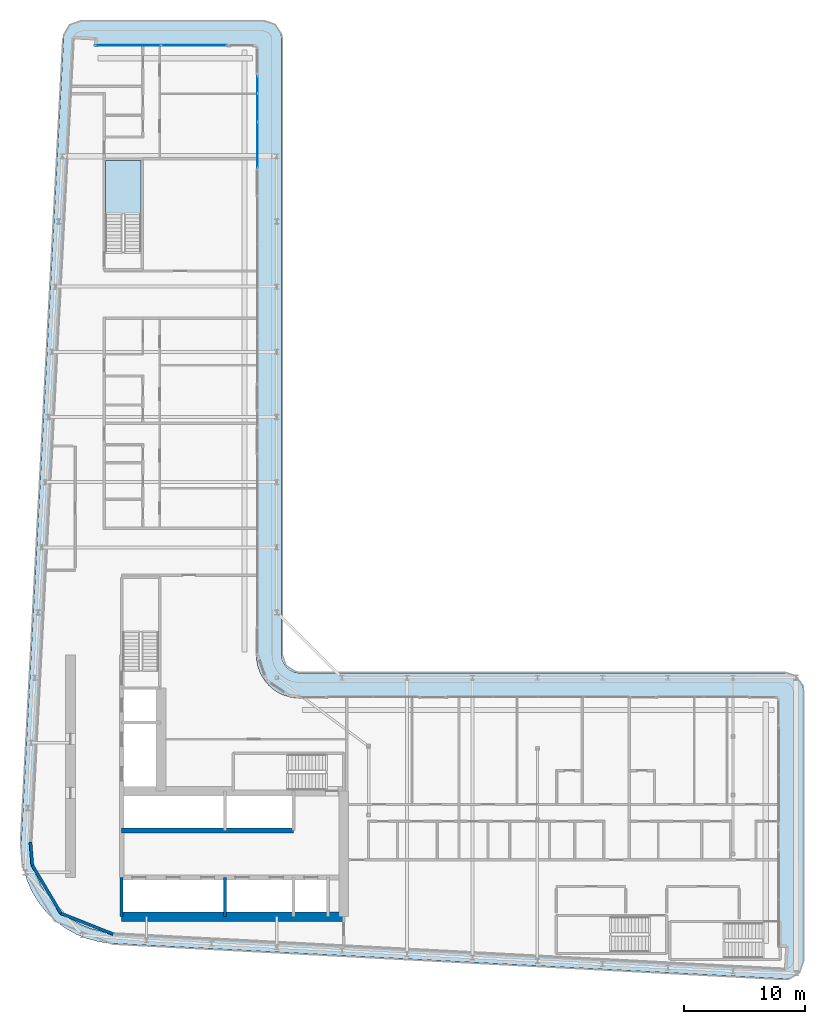
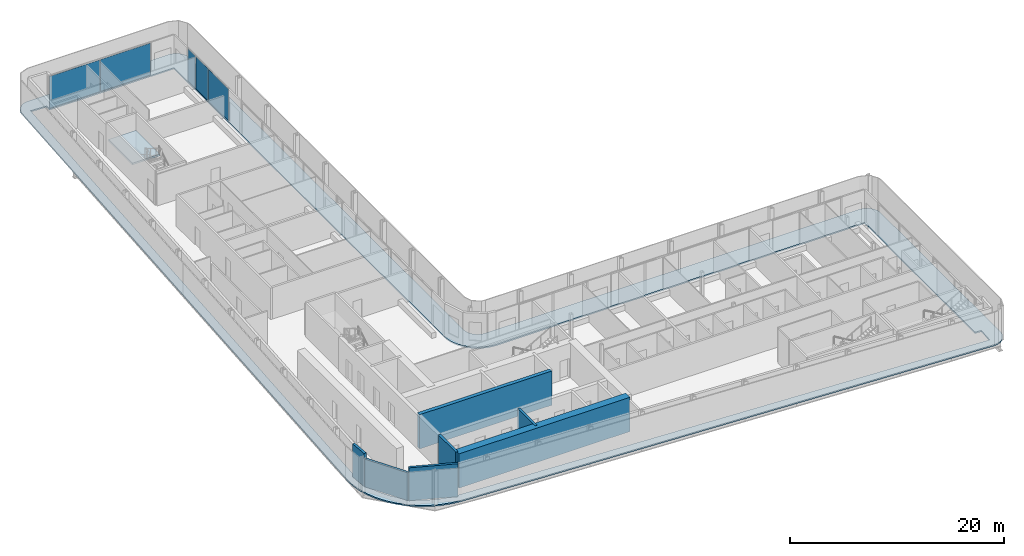
# One storey, part 12 of 26: 7 walls, 5 plates, 2 slabs, 3 elements without a shape of their own.
"""IFC4 building model written with IfcOpenShell, lengths in metres."""

from ifc_helpers import new_model, si_unit, direction, frame, frame_2d, origin, origin_2d, place, context, subcontext, project, spatial, polyline, rectangle, outline, extrude, material, layer, layer_set, type_object, element, aggregate, save


model = new_model("IFC4")

# Units and contexts
model_context = context("Model", 3, precision=1e-05, world=origin(), true_north=direction((0.0, 1.0)))
body_context = subcontext(model_context, "Body", "Model", "MODEL_VIEW")
ifc_project = project(units=[si_unit("LENGTHUNIT", "METRE"), si_unit("AREAUNIT", "SQUARE_METRE"), si_unit("VOLUMEUNIT", "CUBIC_METRE"), si_unit("PLANEANGLEUNIT", "RADIAN"), si_unit("MASSUNIT", "GRAM", prefix="KILO")], contexts=[model_context])

# Site, building, storey
site_placement = place(None, origin())
site = spatial("IfcSite", under=ifc_project, at=site_placement, CompositionType="ELEMENT")
building_placement = place(site_placement, origin())
building = spatial("IfcBuilding", under=site, at=building_placement, Name="Kheshtan School and Residences Tower", CompositionType="ELEMENT")
storey_placement = place(building_placement, frame((0.0, 0.0, 156.5)))
storey = spatial("IfcBuildingStorey", under=building, at=storey_placement, Name="L36", CompositionType="ELEMENT", Elevation=156.5)

# Curtain wall, plates
ifc_material_1 = material(Name="Clear low-e glass in thermally broken aluminium frame", Category="aluminium")
ifc_layer_1 = layer(ifc_material_1, 0.199951171875)
ifc_layer_set_1 = layer_set([ifc_layer_1], Name="Curtain wall CW-L")
curtain_wall_type = type_object("IfcCurtainWallType", Name="Curtain wall CW-L", PredefinedType="NOTDEFINED", material=ifc_layer_set_1)
curtain_wall_1_placement = place(storey_placement, origin())
curtain_wall_1 = element("IfcCurtainWall", 1, at=curtain_wall_1_placement, inside=storey, type_object=curtain_wall_type, Name="Curtain wall CWL7", PredefinedType="NOTDEFINED")
ifc_layer_2 = layer(ifc_material_1, 0.031982421875)
ifc_layer_set_2 = layer_set([ifc_layer_2], Name="CW-L glass panel")
plate_type = type_object("IfcPlateType", Name="CW-L glass panel", PredefinedType="CURTAIN_PANEL", material=ifc_layer_set_2)
plate_1_placement = place(storey_placement, frame((35.259033203125, 98.0, 0.0), z_axis=(0.0, 0.0, 1.0), x_axis=(1.0, 0.0, 0.0)))
plate_1 = element("IfcPlate", 2, at=plate_1_placement, type_object=plate_type, Name="CWL7 panel 1.1", PredefinedType="CURTAIN_PANEL", context=body_context, shape_type="SweptSolid", body=[
    extrude(rectangle(XDim=5.4140625, YDim=0.031982421875, at=origin_2d()), origin(), (0.0, 0.0, 1.0), 3.6298828125),
])
plate_2_placement = place(storey_placement, frame((40.73291015625, 98.0, 0.0), z_axis=(0.0, 0.0, 1.0), x_axis=(1.0, 0.0, 0.0)))
plate_2 = element("IfcPlate", 3, at=plate_2_placement, type_object=plate_type, Name="CWL7 panel 2.1", PredefinedType="CURTAIN_PANEL", context=body_context, shape_type="SweptSolid", body=[
    extrude(rectangle(XDim=5.4140625, YDim=0.031982421875, at=origin_2d()), origin(), (0.0, 0.0, 1.0), 3.6298828125),
])
aggregate(curtain_wall_1, [plate_1, plate_2])

curtain_wall_2_placement = place(storey_placement, origin())
curtain_wall_2 = element("IfcCurtainWall", 4, at=curtain_wall_2_placement, inside=storey, type_object=curtain_wall_type, Name="Curtain wall CWL8c", PredefinedType="NOTDEFINED")
plate_3_placement = place(storey_placement, frame((46.0, 94.735107421875, 0.0), z_axis=(0.0, 0.0, 1.0), x_axis=(0.0, -1.0, 0.0)))
plate_3 = element("IfcPlate", 5, at=plate_3_placement, type_object=plate_type, Name="CWL8c panel 1.1", PredefinedType="CURTAIN_PANEL", context=body_context, shape_type="SweptSolid", body=[
    extrude(rectangle(XDim=1.409912109375, YDim=0.031982421875, at=origin_2d()), origin(), (0.0, 0.0, 1.0), 3.6298828125),
])
plate_4_placement = place(storey_placement, frame((46.0, 92.826416015625, 0.0), z_axis=(0.0, 0.0, 1.0), x_axis=(0.0, -1.0, 0.0)))
plate_4 = element("IfcPlate", 6, at=plate_4_placement, type_object=plate_type, Name="CWL8c panel 2.1", PredefinedType="CURTAIN_PANEL", context=body_context, shape_type="SweptSolid", body=[
    extrude(rectangle(XDim=2.287109375, YDim=0.031982421875, at=origin_2d()), origin(), (0.0, 0.0, 1.0), 3.6298828125),
])
plate_5_placement = place(storey_placement, frame((46.0, 89.744384765625, 0.0), z_axis=(0.0, 0.0, 1.0), x_axis=(0.0, -1.0, 0.0)))
plate_5 = element("IfcPlate", 7, at=plate_5_placement, type_object=plate_type, Name="CWL8c panel 3.1", PredefinedType="CURTAIN_PANEL", context=body_context, shape_type="SweptSolid", body=[
    extrude(rectangle(XDim=3.757080078125, YDim=0.031982421875, at=origin_2d()), origin(), (0.0, 0.0, 1.0), 3.6298828125),
])
aggregate(curtain_wall_2, [plate_3, plate_4, plate_5])

# Slab
ifc_material_2 = material(Name="Concrete C40/50", Category="concrete")
ifc_layer_3 = layer(ifc_material_2, 0.14990234375)
ifc_layer_set_3 = layer_set([ifc_layer_3], Name="Loggia balcony slab 150 Concrete C40/50")
slab_type_1 = type_object("IfcSlabType", Name="Loggia balcony slab 150 Concrete C40/50", PredefinedType="FLOOR", material=ifc_layer_set_3)
slab_1_placement = place(storey_placement, frame((0.0, 0.0, -0.14990234375)))
element("IfcSlab", 8, at=slab_1_placement, inside=storey, type_object=slab_type_1, Name="Loggia balcony slab L36", PredefinedType="FLOOR", context=body_context, shape_type="SweptSolid", body=[
    extrude(outline(polyline([(28.4580078125, 26.222900390625), (28.45703125, 26.222900390625), (28.45703125, 26.22412109375), (28.4560546875, 26.22412109375), (27.81494140625, 27.0390625), (27.281005859375, 27.93798828125), (26.867919921875, 28.89990234375), (26.583984375, 29.89990234375), (26.583984375, 29.906982421875), (26.43408203125, 30.943115234375), (26.419921875, 31.989013671875), (29.925048828125, 98.5791015625), (29.930908203125, 98.626953125), (29.930908203125, 98.6279296875), (29.929931640625, 98.6279296875), (29.929931640625, 98.62890625), (29.928955078125, 98.62890625), (29.928955078125, 98.6298828125), (29.927978515625, 98.6298828125), (29.927978515625, 98.631103515625), (29.927001953125, 98.631103515625), (29.927001953125, 98.632080078125), (29.927001953125, 98.633056640625), (29.945068359375, 98.781005859375), (29.945068359375, 98.783935546875), (29.945068359375, 98.784912109375), (29.946044921875, 98.784912109375), (29.946044921875, 98.785888671875), (29.947021484375, 98.785888671875), (29.947021484375, 98.787109375), (29.947998046875, 98.787109375), (29.948974609375, 98.787109375), (29.948974609375, 98.7880859375), (29.949951171875, 98.7880859375), (29.949951171875, 98.7890625), (29.949951171875, 98.791015625), (30.0029296875, 98.98388671875), (30.083984375, 99.175048828125), (30.18896484375, 99.35302734375), (30.31103515625, 99.507080078125), (30.31201171875, 99.507080078125), (30.31201171875, 99.508056640625), (30.31298828125, 99.508056640625), (30.31298828125, 99.509033203125), (30.31396484375, 99.509033203125), (30.31396484375, 99.510009765625), (30.31494140625, 99.510009765625), (30.31494140625, 99.510986328125), (30.31591796875, 99.510986328125), (30.31591796875, 99.511962890625), (30.31689453125, 99.511962890625), (30.31689453125, 99.512939453125), (30.318115234375, 99.512939453125), (30.321044921875, 99.512939453125), (30.322021484375, 99.512939453125), (30.322021484375, 99.513916015625), (30.468017578125, 99.656982421875), (30.468994140625, 99.656982421875), (30.468994140625, 99.657958984375), (30.469970703125, 99.657958984375), (30.469970703125, 99.658935546875), (30.470947265625, 99.658935546875), (30.470947265625, 99.659912109375), (30.471923828125, 99.659912109375), (30.471923828125, 99.660888671875), (30.472900390625, 99.660888671875), (30.472900390625, 99.662109375), (30.47412109375, 99.662109375), (30.47412109375, 99.6630859375), (30.47509765625, 99.6630859375), (30.47509765625, 99.6640625), (30.635986328125, 99.777099609375), (30.820068359375, 99.873046875), (31.007080078125, 99.943115234375), (31.013916015625, 99.943115234375), (31.217041015625, 99.986083984375), (31.423095703125, 100.0), (46.5, 100.0), (46.696044921875, 99.987060546875), (46.887939453125, 99.948974609375), (46.89501953125, 99.948974609375), (47.073974609375, 99.885986328125), (47.242919921875, 99.801025390625), (47.243896484375, 99.801025390625), (47.2470703125, 99.801025390625), (47.248046875, 99.801025390625), (47.248046875, 99.802001953125), (47.2490234375, 99.802001953125), (47.2490234375, 99.802978515625), (47.25, 99.802978515625), (47.2529296875, 99.802978515625), (47.25390625, 99.802978515625), (47.25390625, 99.802001953125), (47.2548828125, 99.802001953125), (47.2548828125, 99.801025390625), (47.256103515625, 99.801025390625), (47.256103515625, 99.800048828125), (47.257080078125, 99.800048828125), (47.257080078125, 99.799072265625), (47.258056640625, 99.799072265625), (47.258056640625, 99.798095703125), (47.412109375, 99.696044921875), (47.4130859375, 99.696044921875), (47.4130859375, 99.695068359375), (47.4140625, 99.695068359375), (47.4140625, 99.694091796875), (47.4140625, 99.68994140625), (47.4140625, 99.68896484375), (47.4150390625, 99.68896484375), (47.4150390625, 99.68798828125), (47.416015625, 99.68798828125), (47.416015625, 99.68701171875), (47.4169921875, 99.68701171875), (47.4169921875, 99.68603515625), (47.554931640625, 99.568115234375), (47.554931640625, 99.56689453125), (47.555908203125, 99.56689453125), (47.555908203125, 99.56591796875), (47.556884765625, 99.56591796875), (47.556884765625, 99.56494140625), (47.55810546875, 99.56494140625), (47.55810546875, 99.56396484375), (47.55908203125, 99.56396484375), (47.55908203125, 99.56298828125), (47.56005859375, 99.56298828125), (47.56005859375, 99.56201171875), (47.56103515625, 99.56201171875), (47.56201171875, 99.56103515625), (47.56201171875, 99.56005859375), (47.56298828125, 99.56005859375), (47.56298828125, 99.55908203125), (47.56396484375, 99.55908203125), (47.56396484375, 99.55810546875), (47.56494140625, 99.55810546875), (47.56494140625, 99.556884765625), (47.56591796875, 99.556884765625), (47.56591796875, 99.555908203125), (47.56689453125, 99.555908203125), (47.56689453125, 99.554931640625), (47.568115234375, 99.554931640625), (47.68505859375, 99.41796875), (47.68603515625, 99.41796875), (47.68603515625, 99.4169921875), (47.68701171875, 99.4169921875), (47.68701171875, 99.416015625), (47.68798828125, 99.416015625), (47.68798828125, 99.4150390625), (47.68896484375, 99.4150390625), (47.68896484375, 99.4140625), (47.68994140625, 99.4140625), (47.694091796875, 99.4140625), (47.695068359375, 99.4140625), (47.695068359375, 99.4130859375), (47.696044921875, 99.4130859375), (47.696044921875, 99.412109375), (47.797119140625, 99.259033203125), (47.798095703125, 99.259033203125), (47.798095703125, 99.258056640625), (47.799072265625, 99.258056640625), (47.799072265625, 99.257080078125), (47.800048828125, 99.257080078125), (47.800048828125, 99.256103515625), (47.801025390625, 99.256103515625), (47.801025390625, 99.2548828125), (47.802001953125, 99.2548828125), (47.802001953125, 99.25390625), (47.802978515625, 99.25390625), (47.802978515625, 99.2529296875), (47.802978515625, 99.25), (47.802978515625, 99.2490234375), (47.802001953125, 99.2490234375), (47.802001953125, 99.248046875), (47.801025390625, 99.248046875), (47.801025390625, 99.2470703125), (47.801025390625, 99.242919921875), (47.801025390625, 99.241943359375), (47.885986328125, 99.073974609375), (47.948974609375, 98.89501953125), (47.948974609375, 98.887939453125), (47.987060546875, 98.696044921875), (48.0, 98.5), (48.0, 47.5), (48.012939453125, 47.303955078125), (48.051025390625, 47.113037109375), (48.051025390625, 47.10693359375), (48.051025390625, 47.10595703125), (48.114013671875, 46.926025390625), (48.200927734375, 46.75), (48.31005859375, 46.5869140625), (48.431884765625, 46.444091796875), (48.43310546875, 46.444091796875), (48.43310546875, 46.443115234375), (48.43408203125, 46.443115234375), (48.43408203125, 46.44189453125), (48.43505859375, 46.44189453125), (48.43505859375, 46.44091796875), (48.43603515625, 46.44091796875), (48.43603515625, 46.43994140625), (48.43701171875, 46.43994140625), (48.43701171875, 46.43896484375), (48.43798828125, 46.43896484375), (48.43896484375, 46.43798828125), (48.43896484375, 46.43701171875), (48.43994140625, 46.43701171875), (48.43994140625, 46.43603515625), (48.44091796875, 46.43603515625), (48.44091796875, 46.43505859375), (48.44189453125, 46.43505859375), (48.44189453125, 46.43408203125), (48.443115234375, 46.43408203125), (48.443115234375, 46.43310546875), (48.444091796875, 46.43310546875), (48.444091796875, 46.431884765625), (48.5869140625, 46.31005859375), (48.75, 46.200927734375), (48.926025390625, 46.114013671875), (49.10595703125, 46.051025390625), (49.10693359375, 46.051025390625), (49.113037109375, 46.051025390625), (49.303955078125, 46.012939453125), (49.5, 46.0), (89.699951171875, 46.0), (89.89599609375, 45.987060546875), (90.087890625, 45.948974609375), (90.094970703125, 45.948974609375), (90.27392578125, 45.885986328125), (90.44189453125, 45.801025390625), (90.443115234375, 45.801025390625), (90.447021484375, 45.801025390625), (90.447998046875, 45.801025390625), (90.447998046875, 45.802001953125), (90.448974609375, 45.802001953125), (90.448974609375, 45.802978515625), (90.449951171875, 45.802978515625), (90.452880859375, 45.802978515625), (90.4541015625, 45.802978515625), (90.4541015625, 45.802001953125), (90.455078125, 45.802001953125), (90.455078125, 45.801025390625), (90.4560546875, 45.801025390625), (90.4560546875, 45.800048828125), (90.45703125, 45.800048828125), (90.45703125, 45.799072265625), (90.4580078125, 45.799072265625), (90.4580078125, 45.798095703125), (90.458984375, 45.798095703125), (90.458984375, 45.797119140625), (90.4599609375, 45.797119140625), (90.4599609375, 45.7958984375), (90.612060546875, 45.696044921875), (90.613037109375, 45.696044921875), (90.613037109375, 45.695068359375), (90.614013671875, 45.695068359375), (90.614013671875, 45.694091796875), (90.614013671875, 45.68994140625), (90.614013671875, 45.68896484375), (90.614990234375, 45.68896484375), (90.614990234375, 45.68798828125), (90.615966796875, 45.68798828125), (90.615966796875, 45.68701171875), (90.616943359375, 45.68701171875), (90.616943359375, 45.68603515625), (90.617919921875, 45.68603515625), (90.617919921875, 45.68505859375), (90.618896484375, 45.68505859375), (90.618896484375, 45.68408203125), (90.7548828125, 45.568115234375), (90.7548828125, 45.56689453125), (90.756103515625, 45.56689453125), (90.756103515625, 45.56591796875), (90.757080078125, 45.56591796875), (90.757080078125, 45.56494140625), (90.758056640625, 45.56494140625), (90.758056640625, 45.56396484375), (90.759033203125, 45.56396484375), (90.759033203125, 45.56298828125), (90.760009765625, 45.56298828125), (90.760009765625, 45.56201171875), (90.760986328125, 45.56201171875), (90.761962890625, 45.56103515625), (90.761962890625, 45.56005859375), (90.762939453125, 45.56005859375), (90.762939453125, 45.55908203125), (90.763916015625, 45.55908203125), (90.763916015625, 45.55810546875), (90.764892578125, 45.55810546875), (90.764892578125, 45.556884765625), (90.76611328125, 45.556884765625), (90.76611328125, 45.555908203125), (90.76708984375, 45.555908203125), (90.76708984375, 45.554931640625), (90.76806640625, 45.554931640625), (90.882080078125, 45.4208984375), (90.883056640625, 45.4208984375), (90.883056640625, 45.419921875), (90.884033203125, 45.419921875), (90.884033203125, 45.4189453125), (90.885009765625, 45.4189453125), (90.885009765625, 45.41796875), (90.885986328125, 45.41796875), (90.885986328125, 45.4169921875), (90.886962890625, 45.4169921875), (90.886962890625, 45.416015625), (90.887939453125, 45.416015625), (90.887939453125, 45.4150390625), (90.888916015625, 45.4150390625), (90.888916015625, 45.4140625), (90.889892578125, 45.4140625), (90.89404296875, 45.4140625), (90.89501953125, 45.4140625), (90.89501953125, 45.4130859375), (90.89599609375, 45.4130859375), (90.89599609375, 45.412109375), (90.993896484375, 45.261962890625), (90.9951171875, 45.261962890625), (90.9951171875, 45.260986328125), (90.99609375, 45.260986328125), (90.99609375, 45.260009765625), (90.9970703125, 45.260009765625), (90.9970703125, 45.259033203125), (90.998046875, 45.259033203125), (90.998046875, 45.258056640625), (90.9990234375, 45.258056640625), (90.9990234375, 45.257080078125), (91.0, 45.257080078125), (91.0, 45.256103515625), (91.0009765625, 45.256103515625), (91.0009765625, 45.2548828125), (91.001953125, 45.2548828125), (91.001953125, 45.25390625), (91.0029296875, 45.25390625), (91.0029296875, 45.2529296875), (91.0029296875, 45.25), (91.0029296875, 45.2490234375), (91.001953125, 45.2490234375), (91.001953125, 45.248046875), (91.0009765625, 45.248046875), (91.0009765625, 45.2470703125), (91.0009765625, 45.240966796875), (91.0009765625, 45.239990234375), (91.0859375, 45.073974609375), (91.14892578125, 44.89501953125), (91.14892578125, 44.887939453125), (91.18701171875, 44.696044921875), (91.199951171875, 44.5), (91.199951171875, 22.14892578125), (91.18603515625, 21.947021484375), (91.14501953125, 21.7490234375), (91.14501953125, 21.741943359375), (91.077880859375, 21.556884765625), (90.986083984375, 21.376953125), (90.87109375, 21.2109375), (90.87109375, 21.2099609375), (90.87109375, 21.208984375), (90.87109375, 21.2080078125), (90.8720703125, 21.2080078125), (90.8720703125, 21.20703125), (90.8720703125, 21.205078125), (90.8720703125, 21.2041015625), (90.87109375, 21.2041015625), (90.87109375, 21.202880859375), (90.738037109375, 21.06005859375), (90.735107421875, 21.056884765625), (90.73388671875, 21.056884765625), (90.73388671875, 21.055908203125), (90.73291015625, 21.055908203125), (90.73095703125, 21.055908203125), (90.72998046875, 21.055908203125), (90.72998046875, 21.056884765625), (90.72900390625, 21.056884765625), (90.72802734375, 21.056884765625), (90.72705078125, 21.056884765625), (90.575927734375, 20.931884765625), (90.404052734375, 20.824951171875), (90.218994140625, 20.741943359375), (90.031005859375, 20.68505859375), (90.02392578125, 20.68505859375), (89.823974609375, 20.655029296875), (89.62109375, 20.652099609375), (33.989013671875, 23.580078125), (33.94189453125, 23.5859375), (33.94091796875, 23.5859375), (33.93994140625, 23.5859375), (33.93994140625, 23.5849609375), (33.93896484375, 23.5849609375), (33.93896484375, 23.583984375), (33.93798828125, 23.583984375), (33.93798828125, 23.5830078125), (33.93701171875, 23.5830078125), (33.93701171875, 23.58203125), (33.93603515625, 23.58203125), (33.93505859375, 23.58203125), (32.952880859375, 23.697998046875), (32.949951171875, 23.697998046875), (32.948974609375, 23.697998046875), (32.948974609375, 23.698974609375), (32.947998046875, 23.698974609375), (32.947998046875, 23.699951171875), (32.947021484375, 23.699951171875), (32.947021484375, 23.700927734375), (32.947021484375, 23.702880859375), (32.947021484375, 23.7041015625), (32.946044921875, 23.7041015625), (32.946044921875, 23.705078125), (32.945068359375, 23.705078125), (32.944091796875, 23.705078125), (31.93603515625, 23.9609375), (31.928955078125, 23.9609375), (30.964111328125, 24.34912109375), (30.051025390625, 24.860107421875), (29.218994140625, 25.47900390625), (29.218994140625, 25.47998046875), (29.218017578125, 25.47998046875), (29.218017578125, 25.48095703125), (29.217041015625, 25.48095703125), (29.217041015625, 25.48193359375), (29.216064453125, 25.48193359375), (29.216064453125, 25.48291015625), (29.215087890625, 25.48291015625), (29.215087890625, 25.48388671875), (29.214111328125, 25.48388671875), (29.214111328125, 25.485107421875), (29.212890625, 25.485107421875), (29.212890625, 25.486083984375), (29.2119140625, 25.486083984375), (28.467041015625, 26.217041015625), (28.467041015625, 26.218017578125), (28.466064453125, 26.218017578125), (28.462890625, 26.218017578125), (28.4619140625, 26.218017578125), (28.4619140625, 26.218994140625), (28.4609375, 26.218994140625), (28.4609375, 26.219970703125), (28.4599609375, 26.219970703125), (28.4599609375, 26.220947265625), (28.458984375, 26.220947265625), (28.458984375, 26.221923828125), (28.4580078125, 26.221923828125), (28.4580078125, 26.222900390625)]), holes=[polyline([(29.12890625, 26.824951171875), (29.12890625, 26.823974609375), (29.1298828125, 26.823974609375), (29.1298828125, 26.822998046875), (29.131103515625, 26.822998046875), (29.131103515625, 26.822021484375), (29.132080078125, 26.822021484375), (29.132080078125, 26.821044921875), (29.133056640625, 26.821044921875), (29.133056640625, 26.820068359375), (29.134033203125, 26.820068359375), (29.7939453125, 26.173095703125), (29.7939453125, 26.172119140625), (29.794921875, 26.172119140625), (29.798095703125, 26.172119140625), (29.799072265625, 26.172119140625), (29.799072265625, 26.1708984375), (29.800048828125, 26.1708984375), (29.800048828125, 26.169921875), (29.801025390625, 26.169921875), (29.801025390625, 26.1689453125), (29.802001953125, 26.1689453125), (29.802001953125, 26.16796875), (29.802978515625, 26.16796875), (29.802978515625, 26.1669921875), (29.803955078125, 26.1669921875), (29.803955078125, 26.166015625), (30.541015625, 25.616943359375), (31.35205078125, 25.1630859375), (32.208984375, 24.819091796875), (32.2099609375, 24.819091796875), (32.216064453125, 24.819091796875), (33.114990234375, 24.590087890625), (34.06591796875, 24.47705078125), (89.637939453125, 21.552001953125), (89.6650390625, 21.552978515625), (89.666015625, 21.552978515625), (89.6669921875, 21.552978515625), (89.6669921875, 21.553955078125), (89.66796875, 21.553955078125), (89.66796875, 21.554931640625), (89.66796875, 21.555908203125), (89.758056640625, 23.2451171875), (89.758056640625, 23.24609375), (89.758056640625, 23.2470703125), (89.757080078125, 23.2470703125), (89.757080078125, 23.248046875), (89.756103515625, 23.248046875), (89.7548828125, 23.248046875), (89.10107421875, 23.282958984375), (89.10009765625, 23.282958984375), (89.10009765625, 23.283935546875), (89.10009765625, 43.89794921875), (89.10009765625, 43.89892578125), (89.09912109375, 43.89892578125), (89.09912109375, 43.89990234375), (89.097900390625, 43.89990234375), (49.429931640625, 43.89990234375), (49.030029296875, 43.927001953125), (48.569091796875, 44.01806640625), (48.56201171875, 44.01806640625), (48.1201171875, 44.169921875), (47.697021484375, 44.37890625), (47.30810546875, 44.638916015625), (46.95703125, 44.944091796875), (46.95703125, 44.945068359375), (46.9560546875, 44.945068359375), (46.9560546875, 44.946044921875), (46.955078125, 44.946044921875), (46.955078125, 44.947021484375), (46.9541015625, 44.947021484375), (46.9541015625, 44.947998046875), (46.952880859375, 44.947998046875), (46.952880859375, 44.948974609375), (46.951904296875, 44.948974609375), (46.951904296875, 44.949951171875), (46.951904296875, 44.950927734375), (46.950927734375, 44.950927734375), (46.950927734375, 44.951904296875), (46.949951171875, 44.951904296875), (46.948974609375, 44.951904296875), (46.948974609375, 44.952880859375), (46.947998046875, 44.952880859375), (46.947998046875, 44.9541015625), (46.947021484375, 44.9541015625), (46.947021484375, 44.955078125), (46.946044921875, 44.955078125), (46.946044921875, 44.9560546875), (46.945068359375, 44.9560546875), (46.945068359375, 44.95703125), (46.944091796875, 44.95703125), (46.638916015625, 45.30810546875), (46.37890625, 45.697021484375), (46.169921875, 46.1201171875), (46.01806640625, 46.56201171875), (46.01806640625, 46.569091796875), (45.927001953125, 47.030029296875), (45.89990234375, 47.429931640625), (45.89990234375, 97.89794921875), (45.89990234375, 97.89892578125), (45.89892578125, 97.89892578125), (45.89892578125, 97.89990234375), (45.89794921875, 97.89990234375), (32.492919921875, 97.89990234375), (32.491943359375, 97.89990234375), (32.52099609375, 98.43896484375), (32.52099609375, 98.43994140625), (32.52099609375, 98.44091796875), (32.52001953125, 98.44091796875), (32.52001953125, 98.44189453125), (32.51904296875, 98.44189453125), (32.51806640625, 98.44189453125), (30.8291015625, 98.531982421875), (30.827880859375, 98.531982421875), (30.826904296875, 98.531982421875), (30.826904296875, 98.531005859375), (30.825927734375, 98.531005859375), (30.825927734375, 98.530029296875), (30.825927734375, 98.529052734375), (30.822021484375, 98.5009765625), (27.320068359375, 31.970947265625), (27.3330078125, 31.013916015625), (27.466064453125, 30.093994140625), (27.466064453125, 30.087890625), (27.466064453125, 30.0869140625), (27.718017578125, 29.200927734375), (28.0849609375, 28.345947265625), (28.55908203125, 27.550048828125), (29.126953125, 26.825927734375), (29.1279296875, 26.825927734375), (29.1279296875, 26.824951171875), (29.12890625, 26.824951171875)])]), origin(), (0.0, 0.0, 1.0), 0.14990234375),
])

# Stair, slab
stair_type = type_object("IfcStairType", Name="Exit stair, half-turn", PredefinedType="HALF_TURN_STAIR", material=ifc_material_2)
stair_placement = place(storey_placement, origin())
stair = element("IfcStair", 9, at=stair_placement, inside=storey, type_object=stair_type, Name="L36 Protected Exit Stair ST3", PredefinedType="HALF_TURN_STAIR")
ifc_layer_4 = layer(ifc_material_2, 0.199951171875)
ifc_layer_set_4 = layer_set([ifc_layer_4], Name="Stair landing 200 Concrete C40/50")
slab_type_2 = type_object("IfcSlabType", Name="Stair landing 200 Concrete C40/50", PredefinedType="LANDING", material=ifc_layer_set_4)
slab_2_placement = place(storey_placement, frame((0.0, 0.0, 1.75)))
slab_2 = element("IfcSlab", 10, at=slab_2_placement, type_object=slab_type_2, Name="ST3 landing 1", PredefinedType="LANDING", context=body_context, shape_type="SweptSolid", body=[
    extrude(outline(polyline([(36.35009765625, 83.97998046875), (36.35009765625, 88.4599609375), (33.39990234375, 88.4599609375), (33.39990234375, 83.97998046875), (36.35009765625, 83.97998046875)])), origin(), (0.0, 0.0, 1.0), 0.199951171875),
])
aggregate(stair, [slab_2])

# Walls
ifc_material_3 = material(Name="Concrete C50/60", Category="concrete")
ifc_layer_5 = layer(ifc_material_3, 0.39990234375)
ifc_layer_set_5 = layer_set([ifc_layer_5], Name="Core wall 400 Concrete C50/60")
wall_type_1 = type_object("IfcWallType", Name="Core wall 400 Concrete C50/60", PredefinedType="SHEAR", material=ifc_layer_set_5)
wall_1_placement = place(storey_placement, frame((34.75, 32.949951171875, 0.0), z_axis=(0.0, 0.0, 1.0), x_axis=(1.0, 0.0, 0.0)))
element("IfcWall", 11, at=wall_1_placement, inside=storey, type_object=wall_type_1, Name="Core wall CW-HALL-S2", PredefinedType="SHEAR", context=body_context, shape_type="SweptSolid", body=[
    extrude(rectangle(XDim=14.25, YDim=0.39990234375, at=frame_2d((7.125, 0.0))), origin(), (0.0, 0.0, 1.0), 3.89990234375),
])
ifc_material_4 = material(Name="Concrete C70/85", Category="concrete")
ifc_layer_6 = layer(ifc_material_4, 0.800048828125)
ifc_layer_set_6 = layer_set([ifc_layer_6], Name="Core wall 800 Concrete C70/85")
wall_type_2 = type_object("IfcWallType", Name="Core wall 800 Concrete C70/85", PredefinedType="SHEAR", material=ifc_layer_set_6)
wall_2_placement = place(storey_placement, frame((34.75, 25.800048828125, 0.0), z_axis=(0.0, 0.0, 1.0), x_axis=(1.0, 0.0, 0.0)))
element("IfcWall", 12, at=wall_2_placement, inside=storey, type_object=wall_type_2, Name="Core wall CW-REAR-S", PredefinedType="SHEAR", context=body_context, shape_type="SweptSolid", body=[
    extrude(rectangle(XDim=18.39990234375, YDim=0.800048828125, at=frame_2d((9.199951171875, 0.0))), origin(), (0.0, 0.0, 1.0), 3.89990234375),
])
ifc_material_5 = material(Name="Concrete C40/50 with ceramic cladding and mineral wool insulation", Category="concrete")
ifc_layer_7 = layer(ifc_material_5, 0.25)
ifc_layer_set_7 = layer_set([ifc_layer_7], Name="External wall 250 ceramic clad")
wall_type_3 = type_object("IfcWallType", Name="External wall 250 ceramic clad", PredefinedType="SOLIDWALL", material=ifc_layer_set_7)
wall_3_placement = place(storey_placement, frame((34.0390625, 24.35302734375, 0.0), z_axis=(0.0, 0.0, 1.0), x_axis=(-0.929352825399, 0.369192803184, 0.0)))
element("IfcWall", 13, at=wall_3_placement, inside=storey, type_object=wall_type_3, Name="External wall L36 1", PredefinedType="SOLIDWALL", context=body_context, shape_type="SweptSolid", body=[
    extrude(rectangle(XDim=4.656005859375, YDim=0.25, at=frame_2d((2.328125, 0.0))), origin(), (0.0, 0.0, 1.0), 3.75),
])
wall_4_placement = place(storey_placement, frame((29.7119140625, 26.072021484375, 0.0), z_axis=(0.0, 0.0, 1.0), x_axis=(-0.511028049012, 0.859564036662, 0.0)))
element("IfcWall", 14, at=wall_4_placement, inside=storey, type_object=wall_type_3, Name="External wall L36 2", PredefinedType="SOLIDWALL", context=body_context, shape_type="SweptSolid", body=[
    extrude(rectangle(XDim=4.633544921875, YDim=0.25, at=frame_2d((2.31689453125, 0.0))), origin(), (0.0, 0.0, 1.0), 3.14697265625),
])
wall_5_placement = place(storey_placement, frame((27.343994140625, 30.054931640625, 0.0), z_axis=(0.0, 0.0, 1.0), x_axis=(-0.077571675317, 0.99698677784, 0.0)))
element("IfcWall", 15, at=wall_5_placement, inside=storey, type_object=wall_type_3, Name="External wall L36 3", PredefinedType="SOLIDWALL", context=body_context, shape_type="SweptSolid", body=[
    extrude(rectangle(XDim=1.919921875, YDim=0.25, at=frame_2d((0.9599609375, 0.0))), origin(), (0.0, 0.0, 1.0), 3.75),
])
ifc_material_6 = material(Name="Fire-board shaft wall system")
ifc_layer_8 = layer(ifc_material_6, 0.25)
ifc_layer_set_8 = layer_set([ifc_layer_8], Name="Shaft lining wall 250")
wall_type_4 = type_object("IfcWallType", Name="Shaft lining wall 250", PredefinedType="PARTITIONING", material=ifc_layer_set_8)
for number, where, z_axis, x_axis, name in (
    (16, (34.75, 25.800048828125, 0.0), (0.0, 0.0, 1.0), (0.0, 1.0, 0.0), "Shaft lining wall"),
    (17, (43.300048828125, 25.800048828125, 0.0), (0.0, 0.0, 1.0), (0.0, 1.0, 0.0), "Shaft lining wall"),
):
    element("IfcWall", number, at=place(storey_placement, frame(where, z_axis=z_axis, x_axis=x_axis)), inside=storey, type_object=wall_type_4, Name=name, PredefinedType="PARTITIONING", context=body_context, shape_type="SweptSolid", body=[
        extrude(rectangle(XDim=3.25, YDim=0.25, at=frame_2d((1.625, 0.0))), origin(), (0.0, 0.0, 1.0), 3.89990234375),
    ])

save(model, "model.ifc")
